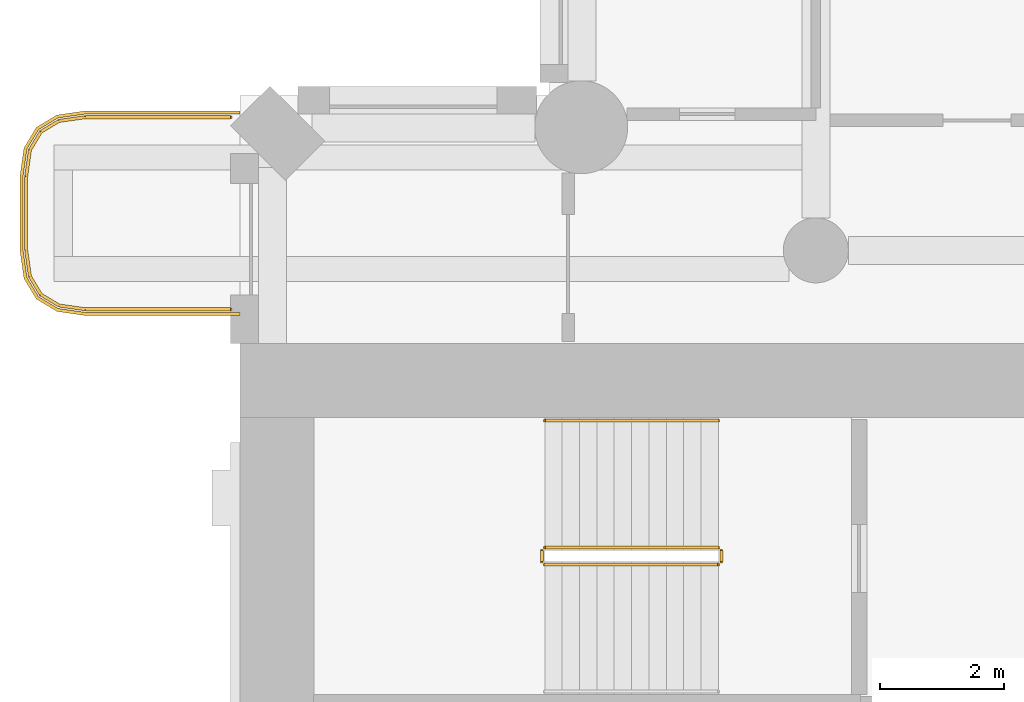
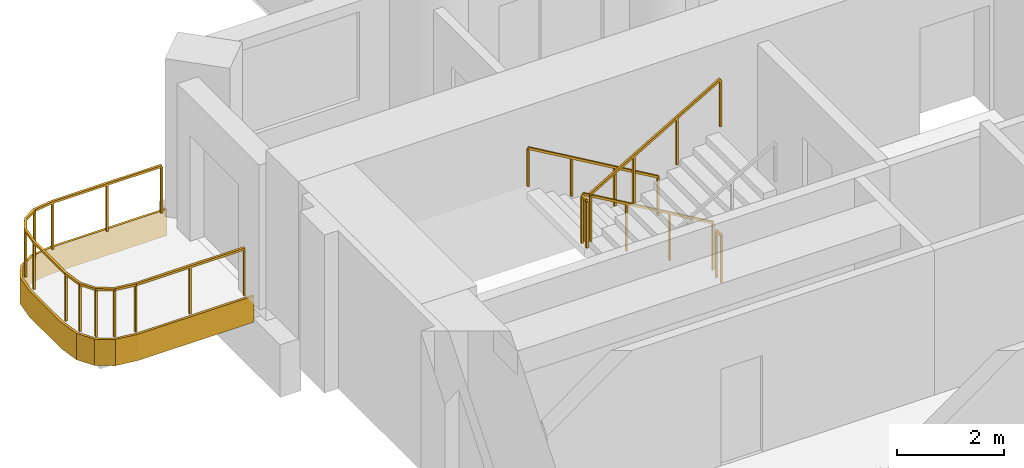
# One storey, part 16 of 19: 6 railings, 1 covering.
"""IFC4 building model written with IfcOpenShell, lengths in metres."""

import ifcopenshell
import ifcopenshell.guid

model = None  # the IFC model being written
_history = None  # IfcOwnerHistory: only IFC2X3 demands one
_inside = {}  # id of a spatial element -> (the spatial element, [elements in it])
_under = {}  # id of a project, library or spatial element -> (it, [spatial elements below it])
_declared = {}  # id of a project -> (the project, [libraries it declares])
_typed = {}  # id of a type object -> (the type object, [elements of that type])
_made_of = {}  # id of a material, layer set ... -> (it, [elements and type objects made of it])


def new_model(schema):
    """Start an empty IFC model of exactly this schema.

    Asked for "IFC4X3", IfcOpenShell would pick the latest addendum, in which some entities
    have other attributes; the version numbers below select the first issue.
    IFC2X3 requires an IfcOwnerHistory on every rooted entity: one is made here for all.
    """
    global model, _history
    if schema == "IFC4X3":
        model = ifcopenshell.file(schema_version=(4, 3, 0, 0))
    else:
        model = ifcopenshell.file(schema=schema)
    _inside.clear()
    _under.clear()
    _declared.clear()
    _typed.clear()
    _made_of.clear()
    _history = None
    if model.schema == "IFC2X3":
        org = make("IfcOrganization", Name="unknown")
        user = make(
            "IfcPersonAndOrganization",
            ThePerson=make("IfcPerson", FamilyName="unknown"),
            TheOrganization=org,
        )
        app = make(
            "IfcApplication",
            ApplicationDeveloper=org,
            Version="unknown",
            ApplicationFullName="unknown",
            ApplicationIdentifier="unknown",
        )
        _history = make(
            "IfcOwnerHistory",
            OwningUser=user,
            OwningApplication=app,
            ChangeAction="ADDED",
            CreationDate=0,
        )
    return model


def make(cls, **values):
    """One entity of the class cls with the attributes given. An attribute that is None is left unset."""
    return model.create_entity(
        cls, **{name: value for name, value in values.items() if value is not None}
    )


def rooted(cls, **values):
    """An entity with a GlobalId (a new one), such as an element, a storey or a relation."""
    return make(cls, GlobalId=ifcopenshell.guid.new(), OwnerHistory=_history, **values)


def si_unit(unit_type, name, prefix=None):
    """IfcSIUnit, for example si_unit("LENGTHUNIT", "METRE", prefix="MILLI")."""
    return make("IfcSIUnit", UnitType=unit_type, Prefix=prefix, Name=name)


def assignment(units):
    """IfcUnitAssignment: the units of a project."""
    return None if units is None else make("IfcUnitAssignment", Units=units)


def point(xyz):
    """IfcCartesianPoint."""
    return None if xyz is None else make("IfcCartesianPoint", Coordinates=xyz)


def direction(xyz):
    """IfcDirection."""
    return None if xyz is None else make("IfcDirection", DirectionRatios=xyz)


def frame(location, z_axis=None, x_axis=None):
    """IfcAxis2Placement3D, a coordinate frame: its origin and axes. An axis left out is left unset."""
    return make(
        "IfcAxis2Placement3D",
        Location=point(location),
        Axis=direction(z_axis),
        RefDirection=direction(x_axis),
    )


def frame_2d(location, x_axis=None):
    """IfcAxis2Placement2D, a coordinate frame in the plane: its origin and x axis."""
    return make(
        "IfcAxis2Placement2D", Location=point(location), RefDirection=direction(x_axis)
    )


def origin():
    """The frame at (0, 0, 0) with its axes left unset."""
    return frame((0.0, 0.0, 0.0))


def origin_2d():
    """The frame at (0, 0) in the plane with its x axis left unset."""
    return frame_2d((0.0, 0.0))


def place(relative_to, where):
    """IfcLocalPlacement: puts the frame where relative to a parent placement (None: the world)."""
    return make(
        "IfcLocalPlacement", PlacementRelTo=relative_to, RelativePlacement=where
    )


def context(
    kind, dimensions, precision=None, world=None, true_north=None, identifier=None
):
    """IfcGeometricRepresentationContext, for example the 3D "Model" context."""
    return make(
        "IfcGeometricRepresentationContext",
        ContextIdentifier=identifier,
        ContextType=kind,
        CoordinateSpaceDimension=dimensions,
        Precision=precision,
        WorldCoordinateSystem=world,
        TrueNorth=true_north,
    )


def subcontext(parent, identifier, kind, view, scale=None):
    """IfcGeometricRepresentationSubContext, for example "Body" below "Model"."""
    return make(
        "IfcGeometricRepresentationSubContext",
        ContextIdentifier=identifier,
        ContextType=kind,
        ParentContext=parent,
        TargetScale=scale,
        TargetView=view,
    )


def project(units=None, contexts=None):
    """IfcProject with its units and contexts."""
    return rooted(
        "IfcProject",
        Name="project",
        RepresentationContexts=contexts,
        UnitsInContext=assignment(units),
    )


def spatial(cls, under=None, at=None, **own):
    """A site, building, storey or space (cls), placed at a placement, below another one or the project."""
    s = rooted(cls, ObjectPlacement=at, **own)
    if under is not None:
        _under.setdefault(under.id(), (under, []))[1].append(s)
    return s


def polyline(points):
    """IfcPolyline through the points."""
    return make("IfcPolyline", Points=[point(p) for p in points])


def profile(cls, at=None, kind="AREA", **sizes):
    """A parametric profile (cls). Its sizes go by their IFC names, for example OverallWidth=200.0."""
    return make(cls, ProfileType=kind, Position=at, **sizes)


def rectangle(**sizes):
    """IfcRectangleProfileDef."""
    return profile("IfcRectangleProfileDef", **sizes)


def outline(outer, holes=None, kind="AREA"):
    """IfcArbitraryClosedProfileDef: a profile drawn as a closed curve; with holes, ...WithVoids."""
    if holes is None:
        return make("IfcArbitraryClosedProfileDef", ProfileType=kind, OuterCurve=outer)
    return make(
        "IfcArbitraryProfileDefWithVoids",
        ProfileType=kind,
        OuterCurve=outer,
        InnerCurves=holes,
    )


def extrude(swept, where, along, depth):
    """IfcExtrudedAreaSolid: the profile swept, set in the frame where, extruded along a direction by depth."""
    return make(
        "IfcExtrudedAreaSolid",
        SweptArea=swept,
        Position=where,
        ExtrudedDirection=direction(along),
        Depth=depth,
    )


def shape(context_of_items, identifier, shape_type, items):
    """IfcShapeRepresentation: the items that make up one representation, for example the "Body"."""
    return make(
        "IfcShapeRepresentation",
        ContextOfItems=context_of_items,
        RepresentationIdentifier=identifier,
        RepresentationType=shape_type,
        Items=items,
    )


def material(Name=None, Category=None):
    """IfcMaterial."""
    return make("IfcMaterial", Name=Name, Category=Category)


def layer(
    of_material, thickness, ventilated=None, Name=None, Category=None, Priority=None
):
    """IfcMaterialLayer: one layer of a wall or slab, of a material (None: an air gap)."""
    return make(
        "IfcMaterialLayer",
        Material=of_material,
        LayerThickness=thickness,
        IsVentilated=ventilated,
        Name=Name,
        Category=Category,
        Priority=Priority,
    )


def layer_set(layers, Name=None):
    """IfcMaterialLayerSet."""
    return make("IfcMaterialLayerSet", MaterialLayers=layers, LayerSetName=Name)


def made_of(thing, what):
    """Note that an element or type object is made of a material, layer set ...; save() writes the relation."""
    if what is not None:
        _made_of.setdefault(what.id(), (what, []))[1].append(thing)
    return thing


def type_object(cls, material=None, **own):
    """A type object (cls), such as IfcWallType, which elements share."""
    return made_of(rooted(cls, **own), material)


def element(
    cls,
    number,
    at=None,
    inside=None,
    cuts=None,
    type_object=None,
    material=None,
    context=None,
    identifier="Body",
    shape_type=None,
    held_by="IfcProductDefinitionShape",
    body=None,
    shapes=None,
    **own,
):
    """One element of the class cls, such as IfcWall. Its Tag is "e" and its number.

    at: its placement. inside: the storey or other place that contains it. cuts: it is an
    opening in that element (IfcRelVoidsElement). A single representation is given by context,
    identifier, shape_type and body (its items); several are given by shapes. held_by: the class
    of the entity that holds the representations. save() writes the other relations.
    """
    e = rooted(cls, Tag="e%d" % number, ObjectPlacement=at, **own)
    if body is not None:
        shapes = [shape(context, identifier, shape_type, body)]
    if shapes is not None:
        e.Representation = make(held_by, Representations=shapes)
    if inside is not None:
        _inside.setdefault(inside.id(), (inside, []))[1].append(e)
    if cuts is not None:
        rooted(
            "IfcRelVoidsElement", RelatingBuildingElement=cuts, RelatedOpeningElement=e
        )
    if type_object is not None:
        _typed.setdefault(type_object.id(), (type_object, []))[1].append(e)
    return made_of(e, material)


def aggregate(whole, parts):
    """IfcRelAggregates: a whole, such as a stair, and the parts it consists of."""
    return rooted("IfcRelAggregates", RelatingObject=whole, RelatedObjects=parts)


def save(model, path):
    """Write the relations noted so far, then the file.

    IfcRelAggregates (storeys below a building ...), IfcRelContainedInSpatialStructure (elements
    in a storey), IfcRelDefinesByType, IfcRelAssociatesMaterial and IfcRelDeclares: one each for
    every whole, place, type object, material and project.
    """
    for whole, parts in _under.values():
        aggregate(whole, parts)
    for where, things in _inside.values():
        rooted(
            "IfcRelContainedInSpatialStructure",
            RelatedElements=things,
            RelatingStructure=where,
        )
    for kind, things in _typed.values():
        rooted("IfcRelDefinesByType", RelatedObjects=things, RelatingType=kind)
    for what, things in _made_of.values():
        rooted("IfcRelAssociatesMaterial", RelatedObjects=things, RelatingMaterial=what)
    for by, libraries in _declared.values():
        rooted("IfcRelDeclares", RelatingContext=by, RelatedDefinitions=libraries)
    model.write(path)


model = new_model("IFC4")

# Units and contexts
model_context = context("Model", 3, precision=1e-05, world=origin(), true_north=direction((0.0, 1.0)))
body_context = subcontext(model_context, "Body", "Model", "MODEL_VIEW")
ifc_project = project(units=[si_unit("LENGTHUNIT", "METRE"), si_unit("AREAUNIT", "SQUARE_METRE"), si_unit("VOLUMEUNIT", "CUBIC_METRE"), si_unit("PLANEANGLEUNIT", "RADIAN"), si_unit("MASSUNIT", "GRAM", prefix="KILO")], contexts=[model_context])

# Site, building, storey
site_placement = place(None, origin())
site = spatial("IfcSite", under=ifc_project, at=site_placement, CompositionType="ELEMENT")
building_placement = place(site_placement, origin())
building = spatial("IfcBuilding", under=site, at=building_placement, Name="Cypress Arch Tower", CompositionType="ELEMENT")
storey_placement = place(building_placement, frame((0.0, 0.0, 138.300048828125)))
storey = spatial("IfcBuildingStorey", under=building, at=storey_placement, Name="L30", CompositionType="ELEMENT", Elevation=138.300048828125)

# Covering
ifc_material_1 = material(Name="White powder-coated aluminium fascia", Category="aluminium")
ifc_layer = layer(ifc_material_1, 0.050048828125)
ifc_layer_set = layer_set([ifc_layer], Name="Balcony fascia BF50")
covering_type = type_object("IfcCoveringType", Name="Balcony fascia BF50", PredefinedType="CLADDING", material=ifc_layer_set)
covering_placement = place(storey_placement, frame((0.0, 0.0, -0.60009765625)))
element("IfcCovering", 1, at=covering_placement, inside=storey, type_object=covering_type, Name="Balcony fascia L30-A00W0", PredefinedType="CLADDING", context=body_context, shape_type="SweptSolid", body=[
    extrude(outline(polyline([(-32.503662109375, 16.449951171875), (-32.95458984375, 16.514404296875), (-33.286376953125, 16.713623046875), (-33.485595703125, 17.04541015625), (-33.550048828125, 17.496337890625), (-33.550048828125, 18.70361328125), (-33.485595703125, 19.154541015625), (-33.286376953125, 19.486328125), (-32.95458984375, 19.685546875), (-32.503662109375, 19.75), (-30.0009765625, 19.75), (-30.0009765625, 19.699951171875), (-32.5, 19.699951171875), (-32.9375, 19.637451171875), (-33.25, 19.449951171875), (-33.4375, 19.137451171875), (-33.5, 18.699951171875), (-33.5, 17.5), (-33.4375, 17.0625), (-33.25, 16.75), (-32.9375, 16.5625), (-32.5, 16.5), (-30.0009765625, 16.5), (-30.0009765625, 16.449951171875), (-32.503662109375, 16.449951171875)])), origin(), (0.0, 0.0, 1.0), 0.60009765625),
])

# Railings
ifc_material_2 = material(Name="Powder-coated steel posts and rods, 100 mm clear between rods", Category="steel")
railing_type_1 = type_object("IfcRailingType", Name="Balcony guard GR1100", PredefinedType="GUARDRAIL", material=ifc_material_2)
railing_1_placement = place(storey_placement, frame((-30.14990234375, 16.550048828125, 0.0)))
element("IfcRailing", 2, at=railing_1_placement, inside=storey, type_object=railing_type_1, Name="Balcony guard L30-A00W0", PredefinedType="GUARDRAIL", context=body_context, shape_type="SweptSolid", body=[
    extrude(rectangle(XDim=0.050048828125, YDim=0.050048828125, at=origin_2d()), frame((0.0, 0.0, 1.0751953125), z_axis=(-1.0, 0.0, 0.0), x_axis=(0.0, -1.0, 0.0)), (0.0, 0.0, 1.0), 2.346435546875),
    extrude(rectangle(XDim=0.050048828125, YDim=0.050048828125, at=origin_2d()), frame((-2.346435546875, 0.0, 1.0751953125), z_axis=(-0.989960888959, 0.141341566184, 0.0), x_axis=(-0.141341566184, -0.989960888959, 0.0)), (0.0, 0.0, 1.0), 0.428466796875),
    extrude(rectangle(XDim=0.050048828125, YDim=0.050048828125, at=origin_2d()), frame((-2.7705078125, 0.060546875, 1.0751953125), z_axis=(-0.857681904839, 0.514180659021, 0.0), x_axis=(-0.514180659021, -0.857681904839, 0.0)), (0.0, 0.0, 1.0), 0.341796875),
    extrude(rectangle(XDim=0.050048828125, YDim=0.050048828125, at=origin_2d()), frame((-3.063720703125, 0.236328125, 1.0751953125), z_axis=(-0.514180659021, 0.857681904839, 0.0), x_axis=(-0.857681904839, -0.514180659021, 0.0)), (0.0, 0.0, 1.0), 0.341796875),
    extrude(rectangle(XDim=0.050048828125, YDim=0.050048828125, at=origin_2d()), frame((-3.239501953125, 0.529541015625, 1.0751953125), z_axis=(-0.141341566184, 0.989960888959, 0.0), x_axis=(-0.989960888959, -0.141341566184, 0.0)), (0.0, 0.0, 1.0), 0.428466796875),
    extrude(rectangle(XDim=0.050048828125, YDim=0.050048828125, at=origin_2d()), frame((-3.300048828125, 0.95361328125, 1.0751953125), z_axis=(0.0, 1.0, 0.0), x_axis=(-1.0, 0.0, 0.0)), (0.0, 0.0, 1.0), 1.19287109375),
    extrude(rectangle(XDim=0.050048828125, YDim=0.050048828125, at=origin_2d()), frame((-3.300048828125, 2.146484375, 1.0751953125), z_axis=(0.141421356237, 0.989949493661, 0.0), x_axis=(-0.989949493661, 0.141421356237, 0.0)), (0.0, 0.0, 1.0), 0.42822265625),
    extrude(rectangle(XDim=0.050048828125, YDim=0.050048828125, at=origin_2d()), frame((-3.239501953125, 2.5703125, 1.0751953125), z_axis=(0.514180659021, 0.857681904839, 0.0), x_axis=(-0.857681904839, 0.514180659021, 0.0)), (0.0, 0.0, 1.0), 0.341796875),
    extrude(rectangle(XDim=0.050048828125, YDim=0.050048828125, at=origin_2d()), frame((-3.063720703125, 2.863525390625, 1.0751953125), z_axis=(0.857681904839, 0.514180659021, 0.0), x_axis=(-0.514180659021, 0.857681904839, 0.0)), (0.0, 0.0, 1.0), 0.341796875),
    extrude(rectangle(XDim=0.050048828125, YDim=0.050048828125, at=origin_2d()), frame((-2.7705078125, 3.039306640625, 1.0751953125), z_axis=(0.989960888959, 0.141341566184, 0.0), x_axis=(-0.141341566184, 0.989960888959, 0.0)), (0.0, 0.0, 1.0), 0.428466796875),
    extrude(rectangle(XDim=0.050048828125, YDim=0.050048828125, at=origin_2d()), frame((-2.346435546875, 3.099853515625, 1.0751953125), z_axis=(1.0, 0.0, 0.0), x_axis=(0.0, 1.0, 0.0)), (0.0, 0.0, 1.0), 2.346435546875),
    extrude(rectangle(XDim=0.0400390625, YDim=0.0400390625, at=origin_2d()), origin(), (0.0, 0.0, 1.0), 1.050048828125),
    extrude(rectangle(XDim=0.0400390625, YDim=0.0400390625, at=origin_2d()), frame((-1.17333984375, 0.0, 0.0)), (0.0, 0.0, 1.0), 1.050048828125),
    extrude(rectangle(XDim=0.0400390625, YDim=0.0400390625, at=origin_2d()), frame((-2.346435546875, 0.0, 0.0)), (0.0, 0.0, 1.0), 1.050048828125),
    extrude(rectangle(XDim=0.0400390625, YDim=0.0400390625, at=origin_2d()), frame((-2.7705078125, 0.060546875, 0.0)), (0.0, 0.0, 1.0), 1.050048828125),
    extrude(rectangle(XDim=0.0400390625, YDim=0.0400390625, at=origin_2d()), frame((-3.063720703125, 0.236328125, 0.0)), (0.0, 0.0, 1.0), 1.050048828125),
    extrude(rectangle(XDim=0.0400390625, YDim=0.0400390625, at=origin_2d()), frame((-3.239501953125, 0.529541015625, 0.0)), (0.0, 0.0, 1.0), 1.050048828125),
    extrude(rectangle(XDim=0.0400390625, YDim=0.0400390625, at=origin_2d()), frame((-3.300048828125, 0.95361328125, 0.0)), (0.0, 0.0, 1.0), 1.050048828125),
    extrude(rectangle(XDim=0.0400390625, YDim=0.0400390625, at=origin_2d()), frame((-3.300048828125, 2.146484375, 0.0)), (0.0, 0.0, 1.0), 1.050048828125),
    extrude(rectangle(XDim=0.0400390625, YDim=0.0400390625, at=origin_2d()), frame((-3.239501953125, 2.5703125, 0.0)), (0.0, 0.0, 1.0), 1.050048828125),
    extrude(rectangle(XDim=0.0400390625, YDim=0.0400390625, at=origin_2d()), frame((-3.063720703125, 2.863525390625, 0.0)), (0.0, 0.0, 1.0), 1.050048828125),
    extrude(rectangle(XDim=0.0400390625, YDim=0.0400390625, at=origin_2d()), frame((-2.7705078125, 3.039306640625, 0.0)), (0.0, 0.0, 1.0), 1.050048828125),
    extrude(rectangle(XDim=0.0400390625, YDim=0.0400390625, at=origin_2d()), frame((-2.346435546875, 3.099853515625, 0.0)), (0.0, 0.0, 1.0), 1.050048828125),
    extrude(rectangle(XDim=0.0400390625, YDim=0.0400390625, at=origin_2d()), frame((-1.17333984375, 3.099853515625, 0.0)), (0.0, 0.0, 1.0), 1.050048828125),
    extrude(rectangle(XDim=0.0400390625, YDim=0.0400390625, at=origin_2d()), frame((0.0, 3.099853515625, 0.0)), (0.0, 0.0, 1.0), 1.050048828125),
])
ifc_material_3 = material(Name="Black powder-coated steel square bar 48 mm", Category="steel")
railing_type_2 = type_object("IfcRailingType", Name="Stair handrail HR1", PredefinedType="HANDRAIL", material=ifc_material_3)
railing_2_placement = place(storey_placement, frame((-22.27490234375, 14.75, 0.16357421875)))
element("IfcRailing", 3, at=railing_2_placement, inside=storey, type_object=railing_type_2, Name="L30 B stair handrail 1", PredefinedType="HANDRAIL", context=body_context, shape_type="SweptSolid", body=[
    extrude(rectangle(XDim=0.048095703125, YDim=0.048095703125, at=origin_2d()), frame((0.0, 0.0, 0.8759765625), z_axis=(-0.863360870873, 0.0, 0.504586966384), x_axis=(0.0, -1.0, 0.0)), (0.0, 0.0, 1.0), 3.2431640625),
    extrude(rectangle(XDim=0.0419921875, YDim=0.0419921875, at=origin_2d()), origin(), (0.0, 0.0, 1.0), 0.851806640625),
    extrude(rectangle(XDim=0.0419921875, YDim=0.0419921875, at=origin_2d()), frame((-0.933349609375, 0.0, 0.54541015625)), (0.0, 0.0, 1.0), 0.851806640625),
    extrude(rectangle(XDim=0.0419921875, YDim=0.0419921875, at=origin_2d()), frame((-1.86669921875, 0.0, 1.091064453125)), (0.0, 0.0, 1.0), 0.851806640625),
    extrude(rectangle(XDim=0.0419921875, YDim=0.0419921875, at=origin_2d()), frame((-2.800048828125, 0.0, 1.636474609375)), (0.0, 0.0, 1.0), 0.851806640625),
])
ifc_material_4 = material(Name="Black powder-coated steel balusters", Category="steel")
railing_type_3 = type_object("IfcRailingType", Name="Stair well guard G1", PredefinedType="GUARDRAIL", material=ifc_material_4)
railing_3_placement = place(storey_placement, frame((-22.27490234375, 12.699951171875, 0.16357421875)))
element("IfcRailing", 4, at=railing_3_placement, inside=storey, type_object=railing_type_3, Name="L30 B stair guard 1", PredefinedType="GUARDRAIL", context=body_context, shape_type="SweptSolid", body=[
    extrude(rectangle(XDim=0.048095703125, YDim=0.048095703125, at=origin_2d()), frame((0.0, 0.0, 1.076171875), z_axis=(-0.863360870873, 0.0, 0.504586966384), x_axis=(0.0, -1.0, 0.0)), (0.0, 0.0, 1.0), 3.2431640625),
    extrude(rectangle(XDim=0.0419921875, YDim=0.0419921875, at=origin_2d()), origin(), (0.0, 0.0, 1.0), 1.052001953125),
    extrude(rectangle(XDim=0.0419921875, YDim=0.0419921875, at=origin_2d()), frame((-0.933349609375, 0.0, 0.54541015625)), (0.0, 0.0, 1.0), 1.052001953125),
    extrude(rectangle(XDim=0.0419921875, YDim=0.0419921875, at=origin_2d()), frame((-1.86669921875, 0.0, 1.091064453125)), (0.0, 0.0, 1.0), 1.052001953125),
    extrude(rectangle(XDim=0.0419921875, YDim=0.0419921875, at=origin_2d()), frame((-2.800048828125, 0.0, 1.636474609375)), (0.0, 0.0, 1.0), 1.052001953125),
])
railing_4_placement = place(storey_placement, frame((-25.125, 12.64990234375, 1.800048828125)))
element("IfcRailing", 5, at=railing_4_placement, inside=storey, type_object=railing_type_3, Name="L30 B stair guard 2", PredefinedType="GUARDRAIL", context=body_context, shape_type="SweptSolid", body=[
    extrude(rectangle(XDim=0.048095703125, YDim=0.048095703125, at=origin_2d()), frame((0.0, 0.0, 1.076171875), z_axis=(0.0, -1.0, 0.0), x_axis=(1.0, 0.0, 0.0)), (0.0, 0.0, 1.0), 0.1748046875),
    extrude(rectangle(XDim=0.0419921875, YDim=0.0419921875, at=origin_2d()), origin(), (0.0, 0.0, 1.0), 1.052001953125),
    extrude(rectangle(XDim=0.0419921875, YDim=0.0419921875, at=origin_2d()), frame((0.0, -0.1748046875, 0.0)), (0.0, 0.0, 1.0), 1.052001953125),
])
railing_5_placement = place(storey_placement, frame((-25.074951171875, 12.425048828125, 1.963623046875)))
element("IfcRailing", 6, at=railing_5_placement, inside=storey, type_object=railing_type_3, Name="L30 B stair guard 3", PredefinedType="GUARDRAIL", context=body_context, shape_type="SweptSolid", body=[
    extrude(rectangle(XDim=0.048095703125, YDim=0.048095703125, at=origin_2d()), frame((0.0, 0.0, 1.076171875), z_axis=(0.863393664356, 0.0, 0.504530851732), x_axis=(0.0, 1.0, 0.0)), (0.0, 0.0, 1.0), 3.2431640625),
    extrude(rectangle(XDim=0.0419921875, YDim=0.0419921875, at=origin_2d()), origin(), (0.0, 0.0, 1.0), 1.052001953125),
    extrude(rectangle(XDim=0.0419921875, YDim=0.0419921875, at=origin_2d()), frame((0.933349609375, 0.0, 0.54541015625)), (0.0, 0.0, 1.0), 1.052001953125),
    extrude(rectangle(XDim=0.0419921875, YDim=0.0419921875, at=origin_2d()), frame((1.86669921875, 0.0, 1.0908203125)), (0.0, 0.0, 1.0), 1.052001953125),
    extrude(rectangle(XDim=0.0419921875, YDim=0.0419921875, at=origin_2d()), frame((2.800048828125, 0.0, 1.63623046875)), (0.0, 0.0, 1.0), 1.052001953125),
])
railing_6_placement = place(storey_placement, frame((-22.22509765625, 12.64990234375, 0.0)))
element("IfcRailing", 7, at=railing_6_placement, inside=storey, type_object=railing_type_3, Name="L30 B stair guard 4", PredefinedType="GUARDRAIL", context=body_context, shape_type="SweptSolid", body=[
    extrude(rectangle(XDim=0.048095703125, YDim=0.048095703125, at=origin_2d()), frame((0.0, 0.0, 1.076171875), z_axis=(0.0, -1.0, 0.0), x_axis=(1.0, 0.0, 0.0)), (0.0, 0.0, 1.0), 0.1748046875),
    extrude(rectangle(XDim=0.0419921875, YDim=0.0419921875, at=origin_2d()), origin(), (0.0, 0.0, 1.0), 1.052001953125),
    extrude(rectangle(XDim=0.0419921875, YDim=0.0419921875, at=origin_2d()), frame((0.0, -0.1748046875, 0.0)), (0.0, 0.0, 1.0), 1.052001953125),
])

save(model, "model.ifc")
